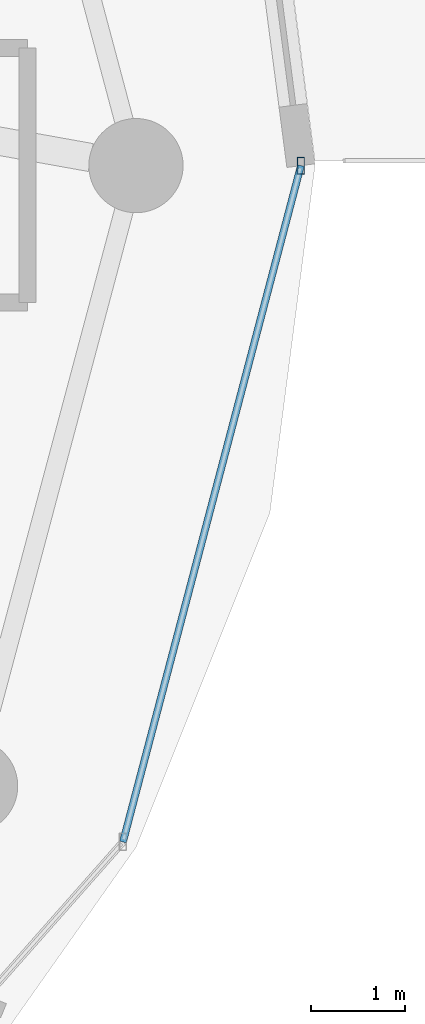
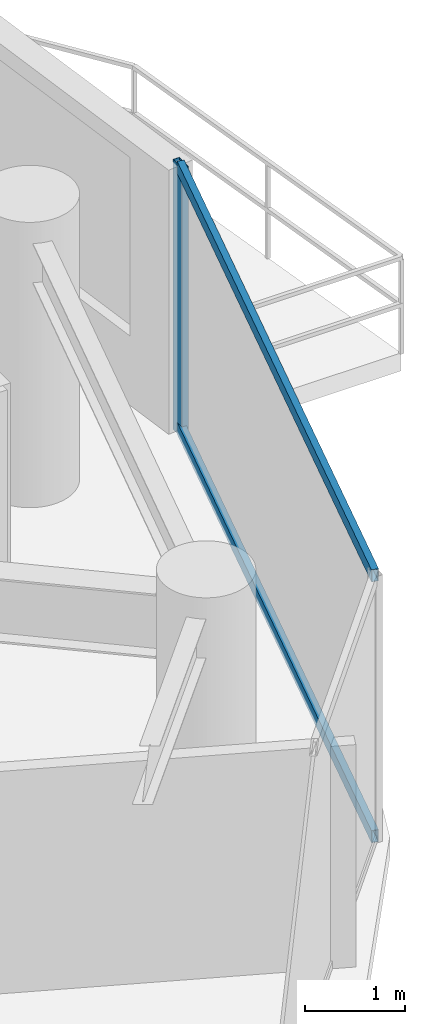
# One storey, part 14 of 28: 3 members, 1 element without a shape of its own.
"""IFC4 building model written with IfcOpenShell, lengths in metres."""

from ifc_helpers import new_model, si_unit, direction, frame, origin, origin_2d, place, context, subcontext, project, spatial, hollow_rectangle, extrude, material, material_profile, profile_set, type_object, element, aggregate, save


model = new_model("IFC4")

# Units and contexts
model_context = context("Model", 3, precision=1e-05, world=origin(), true_north=direction((0.0, 1.0)))
body_context = subcontext(model_context, "Body", "Model", "MODEL_VIEW")
ifc_project = project(units=[si_unit("LENGTHUNIT", "METRE"), si_unit("AREAUNIT", "SQUARE_METRE"), si_unit("VOLUMEUNIT", "CUBIC_METRE"), si_unit("PLANEANGLEUNIT", "RADIAN"), si_unit("MASSUNIT", "GRAM", prefix="KILO")], contexts=[model_context])

# Site, building, storey
site_placement = place(None, origin())
site = spatial("IfcSite", under=ifc_project, at=site_placement, CompositionType="ELEMENT")
building_placement = place(site_placement, origin())
building = spatial("IfcBuilding", under=site, at=building_placement, Name="Vorneva Point Tower", CompositionType="ELEMENT")
storey_placement = place(building_placement, frame((0.0, 0.0, 146.60009765625)))
storey = spatial("IfcBuildingStorey", under=building, at=storey_placement, Name="L39", CompositionType="ELEMENT", Elevation=146.60009765625)

# Curtain wall, members
ifc_material = material(Name="Pale anodised aluminium", Category="aluminium")
curtain_wall_type = type_object("IfcCurtainWallType", Name="CW-RES-SYS", PredefinedType="NOTDEFINED", material=ifc_material)
curtain_wall_placement = place(storey_placement, origin())
curtain_wall = element("IfcCurtainWall", 1, at=curtain_wall_placement, inside=storey, type_object=curtain_wall_type, Name="L39 Unitised Curtain Wall CW-L39-R04", PredefinedType="NOTDEFINED")
ifc_material_profile_1 = material_profile(ifc_material, hollow_rectangle(XDim=0.074951171875, YDim=0.179931640625, WallThickness=0.00390625, at=origin_2d()), Name="AL-MUL 180x75x4")
ifc_profile_set_1 = profile_set([ifc_material_profile_1], Name="Pale anodised aluminium")
member_type_1 = type_object("IfcMemberType", Name="CW-MUL-180", PredefinedType="MULLION", material=ifc_profile_set_1)
member_1_placement = place(storey_placement, frame((62.800048828125, 26.0, -0.0400390625), z_axis=(0.0, 0.0, 1.0), x_axis=(1.0, 0.0, 0.0)))
member_1 = element("IfcMember", 2, at=member_1_placement, type_object=member_type_1, Name="CW-L39-R04 Mullion 03", PredefinedType="MULLION", context=body_context, shape_type="SweptSolid", body=[
    extrude(hollow_rectangle(XDim=0.074951171875, YDim=0.179931640625, WallThickness=0.00390625, at=origin_2d()), origin(), (0.0, 0.0, 1.0), 3.31005859375),
])
ifc_material_profile_2 = material_profile(ifc_material, hollow_rectangle(XDim=0.074951171875, YDim=0.14990234375, WallThickness=0.00390625, at=origin_2d()), Name="AL-TRN 150x75x4")
ifc_profile_set_2 = profile_set([ifc_material_profile_2], Name="Pale anodised aluminium")
member_type_2 = type_object("IfcMemberType", Name="CW-TRN-150", PredefinedType="USERDEFINED", material=ifc_profile_set_2)
member_2_placement = place(storey_placement, frame((60.912109375, 18.82470703125, 0.02001953125), z_axis=(0.254456046293, 0.967084339913, 0.0), x_axis=(-0.967084339913, 0.254456046293, 0.0)))
member_2 = element("IfcMember", 3, at=member_2_placement, type_object=member_type_2, Name="CW-L39-R04 Transom 02.1", ObjectType="TRANSOM", PredefinedType="USERDEFINED", context=body_context, shape_type="SweptSolid", body=[
    extrude(hollow_rectangle(XDim=0.074951171875, YDim=0.14990234375, WallThickness=0.00390625, at=origin_2d()), origin(), (0.0, 0.0, 1.0), 7.41943359375),
])
member_3_placement = place(storey_placement, frame((60.912109375, 18.82470703125, 3.219970703125), z_axis=(0.254456046293, 0.967084339913, 0.0), x_axis=(-0.967084339913, 0.254456046293, 0.0)))
member_3 = element("IfcMember", 4, at=member_3_placement, type_object=member_type_2, Name="CW-L39-R04 Transom 02.2", ObjectType="TRANSOM", PredefinedType="USERDEFINED", context=body_context, shape_type="SweptSolid", body=[
    extrude(hollow_rectangle(XDim=0.074951171875, YDim=0.14990234375, WallThickness=0.00390625, at=origin_2d()), origin(), (0.0, 0.0, 1.0), 7.41943359375),
])
aggregate(curtain_wall, [member_1, member_2, member_3])

save(model, "model.ifc")
